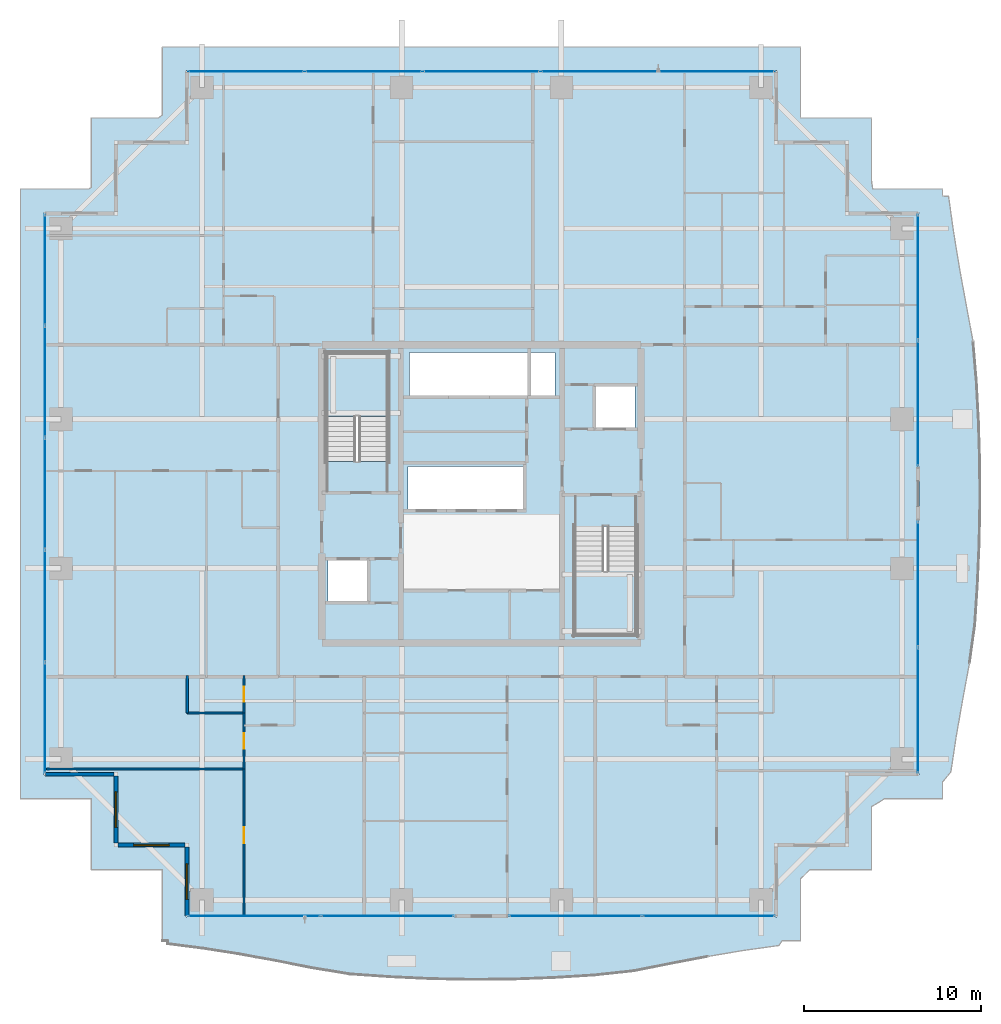
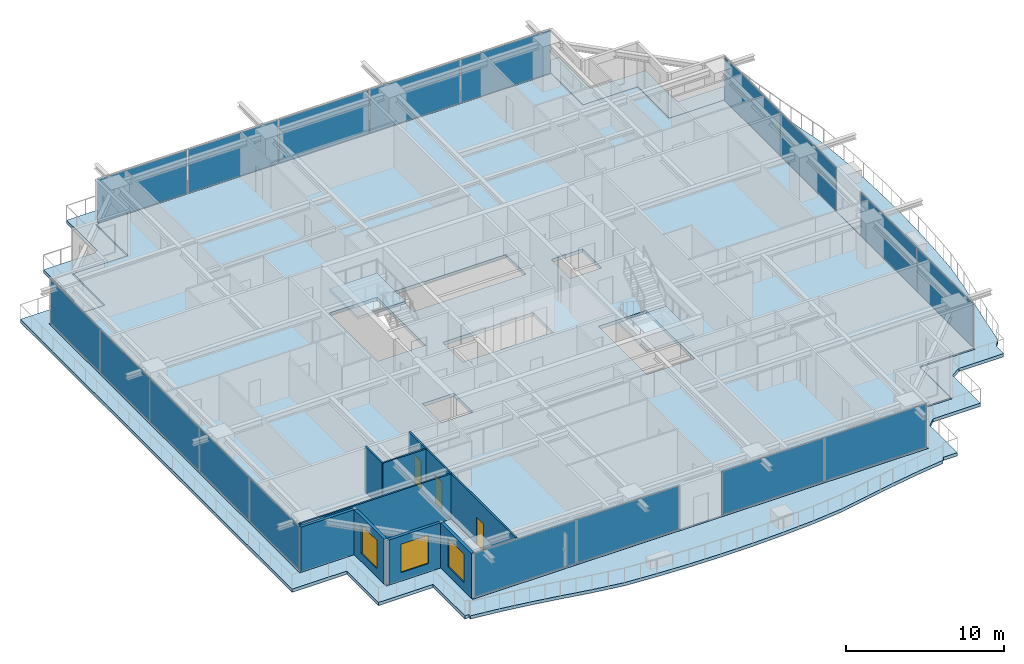
# One storey, part 24 of 35: 18 plates, 10 walls, 4 slabs, 3 doors, 3 windows, 6 openings, 8 elements without a shape of their own.
"""IFC4 building model written with IfcOpenShell, lengths in metres."""

from ifc_helpers import new_model, si_unit, direction, frame, frame_2d, origin, origin_2d, place, context, subcontext, project, spatial, polyline, rectangle, outline, extrude, source, transform, mapped, material, layer, layer_set, type_object, element, fill, aggregate, save


model = new_model("IFC4")

# Units and contexts
model_context = context("Model", 3, precision=1e-05, world=origin(), true_north=direction((0.0, 1.0)))
body_context = subcontext(model_context, "Body", "Model", "MODEL_VIEW")
ifc_project = project(units=[si_unit("LENGTHUNIT", "METRE"), si_unit("AREAUNIT", "SQUARE_METRE"), si_unit("VOLUMEUNIT", "CUBIC_METRE"), si_unit("PLANEANGLEUNIT", "RADIAN"), si_unit("MASSUNIT", "GRAM", prefix="KILO")], contexts=[model_context])

# Site, building, storey
site_placement = place(None, origin())
site = spatial("IfcSite", under=ifc_project, at=site_placement, CompositionType="ELEMENT")
building_placement = place(site_placement, origin())
building = spatial("IfcBuilding", under=site, at=building_placement, Name="Serunith Strait Residences", CompositionType="ELEMENT")
storey_placement = place(building_placement, frame((0.0, 0.0, 191.39990234375)))
storey = spatial("IfcBuildingStorey", under=building, at=storey_placement, Name="L48", CompositionType="ELEMENT", Elevation=191.39990234375)

# Slab
ifc_material_1 = material(Name="Concrete C50/60", Category="concrete")
ifc_layer_1 = layer(ifc_material_1, 0.239990234375, Name="Concrete C50/60")
ifc_layer_set_1 = layer_set([ifc_layer_1], Name="Concrete C50/60")
slab_type_1 = type_object("IfcSlabType", Name="SLB-BALC-240", PredefinedType="FLOOR", material=ifc_layer_set_1)
slab_1_placement = place(storey_placement, frame((0.0, 0.0, -0.289794921875)))
element("IfcSlab", 1, at=slab_1_placement, inside=storey, type_object=slab_type_1, Name="L48 Planted Vertical-Forest Balcony Slab", PredefinedType="FLOOR", context=body_context, shape_type="SweptSolid", body=[
    extrude(outline(polyline([(14.419921875, 0.02001953125), (14.419921875, 4.02001953125), (10.419921875, 4.02001953125), (10.419921875, 8.02001953125), (6.419921875, 8.02001953125), (6.419921875, 42.3798828125), (10.284912109375, 42.3798828125), (10.419921875, 42.47802734375), (10.419921875, 46.3798828125), (14.1982421875, 46.3798828125), (14.419921875, 46.55908203125), (14.419921875, 50.3798828125), (50.3798828125, 50.3798828125), (50.3798828125, 46.3798828125), (54.3798828125, 46.3798828125), (54.3798828125, 42.830322265625), (54.44677734375, 42.3798828125), (58.3798828125, 42.3798828125), (58.3798828125, 41.98291015625), (58.7216796875, 41.963134765625), (59.000732421875, 39.960205078125), (59.3330078125, 37.936767578125), (59.708984375, 35.875732421875), (60.1044921875, 33.759033203125), (60.293701171875, 31.531005859375), (60.413818359375, 29.26171875), (60.4833984375, 26.969482421875), (60.49560546875, 24.6669921875), (60.449462890625, 22.368408203125), (60.34912109375, 20.08740234375), (60.203857421875, 17.834716796875), (59.8994140625, 15.660888671875), (59.509521484375, 13.57373046875), (59.1533203125, 11.533203125), (58.847412109375, 9.521484375), (58.3798828125, 8.9716796875), (58.3798828125, 8.02001953125), (55.121826171875, 8.02001953125), (54.3798828125, 7.5751953125), (54.3798828125, 4.02001953125), (50.9091796875, 4.02001953125), (50.3798828125, 3.510986328125), (50.3798828125, 0.02001953125), (49.350830078125, 0.02001953125), (49.1552734375, -0.253662109375), (47.158203125, -0.5322265625), (45.1435546875, -0.87109375), (43.092529296875, -1.2626953125), (40.98486328125, -1.68408203125), (38.762939453125, -1.923583984375), (36.48583984375, -2.065185546875), (34.181396484375, -2.151123046875), (31.86328125, -2.1728515625), (29.548583984375, -2.1279296875), (27.253173828125, -2.02099609375), (24.989990234375, -1.863037109375), (22.823486328125, -1.50927734375), (20.7431640625, -1.096923828125), (18.710693359375, -0.726318359375), (16.705810546875, -0.41259765625), (14.712646484375, -0.158935546875), (14.714111328125, 0.02001953125), (14.419921875, 0.02001953125)]), holes=[polyline([(49.054931640625, 1.344970703125), (49.054931640625, 5.344970703125), (53.054931640625, 5.344970703125), (53.054931640625, 9.344970703125), (57.054931640625, 9.344970703125), (57.054931640625, 41.054931640625), (53.054931640625, 41.054931640625), (53.054931640625, 45.054931640625), (49.054931640625, 45.054931640625), (49.054931640625, 49.054931640625), (15.7451171875, 49.054931640625), (15.7451171875, 45.054931640625), (11.7451171875, 45.054931640625), (11.7451171875, 41.054931640625), (7.7451171875, 41.054931640625), (7.7451171875, 9.344970703125), (11.7451171875, 9.344970703125), (11.7451171875, 5.344970703125), (15.7451171875, 5.344970703125), (15.7451171875, 1.344970703125), (49.054931640625, 1.344970703125)])]), origin(), (0.0, 0.0, 1.0), 0.239990234375),
])

# Stair, slab
stair_type_1 = type_object("IfcStairType", Name="STR-CORE-1", PredefinedType="HALF_TURN_STAIR", material=ifc_material_1)
stair_1_placement = place(storey_placement, origin())
stair_1 = element("IfcStair", 2, at=stair_1_placement, inside=storey, type_object=stair_type_1, Name="L48 Protected Escape Stair ST-1", PredefinedType="HALF_TURN_STAIR")
ifc_layer_2 = layer(ifc_material_1, 0.199951171875, Name="Concrete C50/60")
ifc_layer_set_2 = layer_set([ifc_layer_2], Name="Concrete C50/60")
slab_type_2 = type_object("IfcSlabType", Name="SLB-LAND-200", PredefinedType="LANDING", material=ifc_layer_set_2)
slab_2_placement = place(storey_placement, frame((0.0, 0.0, 1.675048828125)))
slab_2 = element("IfcSlab", 3, at=slab_2_placement, type_object=slab_type_2, Name="ST-1 landing 1", PredefinedType="LANDING", context=body_context, shape_type="SweptSolid", body=[
    extrude(outline(polyline([(27.14990234375, 29.550048828125), (27.14990234375, 33.14990234375), (23.64990234375, 33.14990234375), (23.64990234375, 29.550048828125), (27.14990234375, 29.550048828125)])), origin(), (0.0, 0.0, 1.0), 0.199951171875),
])
aggregate(stair_1, [slab_2])

stair_type_2 = type_object("IfcStairType", Name="STR-CORE-2", PredefinedType="HALF_TURN_STAIR", material=ifc_material_1)
stair_2_placement = place(storey_placement, origin())
stair_2 = element("IfcStair", 4, at=stair_2_placement, inside=storey, type_object=stair_type_2, Name="L48 Protected Escape Stair ST-2", PredefinedType="HALF_TURN_STAIR")
slab_3_placement = place(storey_placement, frame((0.0, 0.0, 1.675048828125)))
slab_3 = element("IfcSlab", 5, at=slab_3_placement, type_object=slab_type_2, Name="ST-2 landing 1", PredefinedType="LANDING", context=body_context, shape_type="SweptSolid", body=[
    extrude(outline(polyline([(37.64990234375, 20.85009765625), (37.64990234375, 17.25), (41.14990234375, 17.25), (41.14990234375, 20.85009765625), (37.64990234375, 20.85009765625)])), origin(), (0.0, 0.0, 1.0), 0.199951171875),
])
aggregate(stair_2, [slab_3])

# Slab
ifc_material_2 = material(Name="Concrete C60/75", Category="concrete")
ifc_layer_3 = layer(ifc_material_2, 0.260009765625, Name="Concrete C60/75")
ifc_layer_set_3 = layer_set([ifc_layer_3], Name="Concrete C60/75")
slab_type_3 = type_object("IfcSlabType", Name="SLB-TWR-260-Z2", PredefinedType="FLOOR", material=ifc_layer_set_3)
slab_4_placement = place(storey_placement, frame((0.0, 0.0, -0.260009765625)))
element("IfcSlab", 6, at=slab_4_placement, inside=storey, type_object=slab_type_3, Name="L48 Structural Floor Plate", PredefinedType="FLOOR", context=body_context, shape_type="SweptSolid", body=[
    extrude(outline(polyline([(15.800048828125, 5.39990234375), (11.800048828125, 5.39990234375), (11.800048828125, 9.39990234375), (7.800048828125, 9.39990234375), (7.800048828125, 41.0), (11.800048828125, 41.0), (11.800048828125, 45.0), (15.800048828125, 45.0), (15.800048828125, 49.0), (49.0, 49.0), (49.0, 45.0), (53.0, 45.0), (53.0, 41.0), (57.0, 41.0), (57.0, 9.39990234375), (53.0, 9.39990234375), (53.0, 5.39990234375), (49.0, 5.39990234375), (49.0, 1.39990234375), (15.800048828125, 1.39990234375), (15.800048828125, 5.39990234375)]), holes=[polyline([(41.14990234375, 23.3701171875), (37.64990234375, 23.3701171875), (37.64990234375, 17.25), (41.14990234375, 17.25), (41.14990234375, 23.3701171875)]), polyline([(38.75, 31.25), (38.75, 28.85009765625), (41.050048828125, 28.85009765625), (41.050048828125, 31.25), (38.75, 31.25)]), polyline([(36.550048828125, 33.14990234375), (28.35009765625, 33.14990234375), (28.35009765625, 30.64990234375), (36.550048828125, 30.64990234375), (36.550048828125, 33.14990234375)]), polyline([(34.85009765625, 26.75), (28.25, 26.75), (28.25, 24.25), (34.85009765625, 24.25), (34.85009765625, 26.75)]), polyline([(23.64990234375, 33.14990234375), (23.64990234375, 27.030029296875), (27.14990234375, 27.030029296875), (27.14990234375, 33.14990234375), (23.64990234375, 33.14990234375)]), polyline([(26.050048828125, 21.550048828125), (23.75, 21.550048828125), (23.75, 19.14990234375), (26.050048828125, 19.14990234375), (26.050048828125, 21.550048828125)])]), origin(), (0.0, 0.0, 1.0), 0.260009765625),
])

# Curtain wall, plates
ifc_material_3 = material(Name="Pale-Silver PVDF Aluminium", Category="aluminium")
ifc_layer_4 = layer(ifc_material_3, 0.199951171875, Name="Pale-Silver PVDF Aluminium")
ifc_layer_set_4 = layer_set([ifc_layer_4], Name="Pale-Silver PVDF Aluminium")
curtain_wall_type = type_object("IfcCurtainWallType", Name="CW-SYS3", PredefinedType="NOTDEFINED", material=ifc_layer_set_4)
curtain_wall_1_placement = place(storey_placement, origin())
curtain_wall_1 = element("IfcCurtainWall", 7, at=curtain_wall_1_placement, inside=storey, type_object=curtain_wall_type, Name="L48 S Unitised Fritted Curtain Wall", PredefinedType="NOTDEFINED")
ifc_material_4 = material(Name="High-Selectivity Acoustic Laminated Glazing 32mm", Category="glass")
ifc_layer_5 = layer(ifc_material_4, 0.031982421875, Name="High-Selectivity Acoustic Laminated Glazing 32mm")
ifc_layer_set_5 = layer_set([ifc_layer_5], Name="High-Selectivity Acoustic Laminated Glazing 32mm")
plate_type = type_object("IfcPlateType", Name="CW-SYS3-PNL", PredefinedType="CURTAIN_PANEL", material=ifc_layer_set_5)
shared_shape_1 = source(origin(), body_context, "Body", "SweptSolid", [
    extrude(rectangle(XDim=7.4375, YDim=0.031982421875, at=origin_2d()), origin(), (0.0, 0.0, 1.0), 3.35498046875),
])
plate_1_placement = place(storey_placement, frame((19.59375, 1.39990234375, 0.06005859375), z_axis=(0.0, 0.0, 1.0), x_axis=(1.0, 0.0, 0.0)))
plate_1 = element("IfcPlate", 8, at=plate_1_placement, type_object=plate_type, Name="CW-3 panel 1.1", PredefinedType="CURTAIN_PANEL", context=body_context, shape_type="MappedRepresentation", body=[
    mapped(shared_shape_1, transform((0.0, 0.0, 0.0), scale=1.0)),
])
plate_2_placement = place(storey_placement, frame((27.106201171875, 1.39990234375, 0.06005859375), z_axis=(0.0, 0.0, 1.0), x_axis=(1.0, 0.0, 0.0)))
plate_2 = element("IfcPlate", 9, at=plate_2_placement, type_object=plate_type, Name="CW-3 panel 2.1", PredefinedType="CURTAIN_PANEL", context=body_context, shape_type="MappedRepresentation", body=[
    mapped(shared_shape_1, transform((0.0, 0.0, 0.0), scale=1.0)),
])
aggregate(curtain_wall_1, [plate_1, plate_2])

curtain_wall_2_placement = place(storey_placement, origin())
curtain_wall_2 = element("IfcCurtainWall", 10, at=curtain_wall_2_placement, inside=storey, type_object=curtain_wall_type, Name="L48 S Unitised Fritted Curtain Wall", PredefinedType="NOTDEFINED")
plate_3_placement = place(storey_placement, frame((37.69384765625, 1.39990234375, 0.06005859375), z_axis=(0.0, 0.0, 1.0), x_axis=(1.0, 0.0, 0.0)))
plate_3 = element("IfcPlate", 11, at=plate_3_placement, type_object=plate_type, Name="CW-3 panel 1.1", PredefinedType="CURTAIN_PANEL", context=body_context, shape_type="MappedRepresentation", body=[
    mapped(shared_shape_1, transform((0.0, 0.0, 0.0), scale=1.0)),
])
plate_4_placement = place(storey_placement, frame((45.206298828125, 1.39990234375, 0.06005859375), z_axis=(0.0, 0.0, 1.0), x_axis=(1.0, 0.0, 0.0)))
plate_4 = element("IfcPlate", 12, at=plate_4_placement, type_object=plate_type, Name="CW-3 panel 2.1", PredefinedType="CURTAIN_PANEL", context=body_context, shape_type="MappedRepresentation", body=[
    mapped(shared_shape_1, transform((0.0, 0.0, 0.0), scale=1.0)),
])
aggregate(curtain_wall_2, [plate_3, plate_4])

curtain_wall_3_placement = place(storey_placement, origin())
curtain_wall_3 = element("IfcCurtainWall", 13, at=curtain_wall_3_placement, inside=storey, type_object=curtain_wall_type, Name="L48 E Unitised Fritted Curtain Wall", PredefinedType="NOTDEFINED")
shared_shape_2 = source(origin(), body_context, "Body", "SweptSolid", [
    extrude(rectangle(XDim=7.03759765625, YDim=0.031982421875, at=origin_2d()), origin(), (0.0, 0.0, 1.0), 3.35498046875),
])
plate_5_placement = place(storey_placement, frame((57.0, 12.99365234375, 0.06005859375), z_axis=(0.0, 0.0, 1.0), x_axis=(0.0, 1.0, 0.0)))
plate_5 = element("IfcPlate", 14, at=plate_5_placement, type_object=plate_type, Name="CW-3 panel 1.1", PredefinedType="CURTAIN_PANEL", context=body_context, shape_type="MappedRepresentation", body=[
    mapped(shared_shape_2, transform((0.0, 0.0, 0.0), scale=1.0)),
])
plate_6_placement = place(storey_placement, frame((57.0, 20.106201171875, 0.06005859375), z_axis=(0.0, 0.0, 1.0), x_axis=(0.0, 1.0, 0.0)))
plate_6 = element("IfcPlate", 15, at=plate_6_placement, type_object=plate_type, Name="CW-3 panel 2.1", PredefinedType="CURTAIN_PANEL", context=body_context, shape_type="MappedRepresentation", body=[
    mapped(shared_shape_2, transform((0.0, 0.0, 0.0), scale=1.0)),
])
aggregate(curtain_wall_3, [plate_5, plate_6])

curtain_wall_4_placement = place(storey_placement, origin())
curtain_wall_4 = element("IfcCurtainWall", 16, at=curtain_wall_4_placement, inside=storey, type_object=curtain_wall_type, Name="L48 E Unitised Fritted Curtain Wall", PredefinedType="NOTDEFINED")
plate_7_placement = place(storey_placement, frame((57.0, 30.293701171875, 0.06005859375), z_axis=(0.0, 0.0, 1.0), x_axis=(0.0, 1.0, 0.0)))
plate_7 = element("IfcPlate", 17, at=plate_7_placement, type_object=plate_type, Name="CW-3 panel 1.1", PredefinedType="CURTAIN_PANEL", context=body_context, shape_type="MappedRepresentation", body=[
    mapped(shared_shape_2, transform((0.0, 0.0, 0.0), scale=1.0)),
])
plate_8_placement = place(storey_placement, frame((57.0, 37.40625, 0.06005859375), z_axis=(0.0, 0.0, 1.0), x_axis=(0.0, 1.0, 0.0)))
plate_8 = element("IfcPlate", 18, at=plate_8_placement, type_object=plate_type, Name="CW-3 panel 2.1", PredefinedType="CURTAIN_PANEL", context=body_context, shape_type="MappedRepresentation", body=[
    mapped(shared_shape_2, transform((0.0, 0.0, 0.0), scale=1.0)),
])
aggregate(curtain_wall_4, [plate_7, plate_8])

curtain_wall_5_placement = place(storey_placement, origin())
curtain_wall_5 = element("IfcCurtainWall", 19, at=curtain_wall_5_placement, inside=storey, type_object=curtain_wall_type, Name="L48 N Unitised Fritted Curtain Wall", PredefinedType="NOTDEFINED")
shared_shape_3 = source(origin(), body_context, "Body", "SweptSolid", [
    extrude(rectangle(XDim=6.527587890625, YDim=0.031982421875, at=origin_2d()), origin(), (0.0, 0.0, 1.0), 3.35498046875),
])
plate_9_placement = place(storey_placement, frame((45.6611328125, 49.0, 0.06005859375), z_axis=(0.0, 0.0, 1.0), x_axis=(-1.0, 0.0, 0.0)))
plate_9 = element("IfcPlate", 20, at=plate_9_placement, type_object=plate_type, Name="CW-3 panel 1.1", PredefinedType="CURTAIN_PANEL", context=body_context, shape_type="MappedRepresentation", body=[
    mapped(shared_shape_3, transform((0.0, 0.0, 0.0), scale=1.0)),
])
plate_10_placement = place(storey_placement, frame((19.138671875, 49.0, 0.06005859375), z_axis=(0.0, 0.0, 1.0), x_axis=(-1.0, 0.0, 0.0)))
plate_10 = element("IfcPlate", 21, at=plate_10_placement, type_object=plate_type, Name="CW-3 panel 5.1", PredefinedType="CURTAIN_PANEL", context=body_context, shape_type="MappedRepresentation", body=[
    mapped(shared_shape_3, transform((0.0, 0.0, 0.0), scale=1.0)),
])
shared_shape_4 = source(origin(), body_context, "Body", "SweptSolid", [
    extrude(rectangle(XDim=6.56494140625, YDim=0.031982421875, at=origin_2d()), origin(), (0.0, 0.0, 1.0), 3.35498046875),
])
plate_11_placement = place(storey_placement, frame((39.0400390625, 49.0, 0.06005859375), z_axis=(0.0, 0.0, 1.0), x_axis=(-1.0, 0.0, 0.0)))
plate_11 = element("IfcPlate", 22, at=plate_11_placement, type_object=plate_type, Name="CW-3 panel 2.1", PredefinedType="CURTAIN_PANEL", context=body_context, shape_type="MappedRepresentation", body=[
    mapped(shared_shape_4, transform((0.0, 0.0, 0.0), scale=1.0)),
])
plate_12_placement = place(storey_placement, frame((32.39990234375, 49.0, 0.06005859375), z_axis=(0.0, 0.0, 1.0), x_axis=(-1.0, 0.0, 0.0)))
plate_12 = element("IfcPlate", 23, at=plate_12_placement, type_object=plate_type, Name="CW-3 panel 3.1", PredefinedType="CURTAIN_PANEL", context=body_context, shape_type="MappedRepresentation", body=[
    mapped(shared_shape_4, transform((0.0, 0.0, 0.0), scale=1.0)),
])
plate_13_placement = place(storey_placement, frame((25.760009765625, 49.0, 0.06005859375), z_axis=(0.0, 0.0, 1.0), x_axis=(-1.0, 0.0, 0.0)))
plate_13 = element("IfcPlate", 24, at=plate_13_placement, type_object=plate_type, Name="CW-3 panel 4.1", PredefinedType="CURTAIN_PANEL", context=body_context, shape_type="MappedRepresentation", body=[
    mapped(shared_shape_4, transform((0.0, 0.0, 0.0), scale=1.0)),
])
aggregate(curtain_wall_5, [plate_9, plate_11, plate_12, plate_13, plate_10])

curtain_wall_6_placement = place(storey_placement, origin())
curtain_wall_6 = element("IfcCurtainWall", 25, at=curtain_wall_6_placement, inside=storey, type_object=curtain_wall_type, Name="L48 W Unitised Fritted Curtain Wall", PredefinedType="NOTDEFINED")
shared_shape_5 = source(origin(), body_context, "Body", "SweptSolid", [
    extrude(rectangle(XDim=6.20751953125, YDim=0.031982421875, at=origin_2d()), origin(), (0.0, 0.0, 1.0), 3.35498046875),
])
plate_14_placement = place(storey_placement, frame((7.800048828125, 37.8212890625, 0.06005859375), z_axis=(0.0, 0.0, 1.0), x_axis=(0.0, -1.0, 0.0)))
plate_14 = element("IfcPlate", 26, at=plate_14_placement, type_object=plate_type, Name="CW-3 panel 1.1", PredefinedType="CURTAIN_PANEL", context=body_context, shape_type="MappedRepresentation", body=[
    mapped(shared_shape_5, transform((0.0, 0.0, 0.0), scale=1.0)),
])
plate_15_placement = place(storey_placement, frame((7.800048828125, 12.578857421875, 0.06005859375), z_axis=(0.0, 0.0, 1.0), x_axis=(0.0, -1.0, 0.0)))
plate_15 = element("IfcPlate", 27, at=plate_15_placement, type_object=plate_type, Name="CW-3 panel 5.1", PredefinedType="CURTAIN_PANEL", context=body_context, shape_type="MappedRepresentation", body=[
    mapped(shared_shape_5, transform((0.0, 0.0, 0.0), scale=1.0)),
])
shared_shape_6 = source(origin(), body_context, "Body", "SweptSolid", [
    extrude(rectangle(XDim=6.2451171875, YDim=0.031982421875, at=origin_2d()), origin(), (0.0, 0.0, 1.0), 3.35498046875),
])
plate_16_placement = place(storey_placement, frame((7.800048828125, 31.52001953125, 0.06005859375), z_axis=(0.0, 0.0, 1.0), x_axis=(0.0, -1.0, 0.0)))
plate_16 = element("IfcPlate", 28, at=plate_16_placement, type_object=plate_type, Name="CW-3 panel 2.1", PredefinedType="CURTAIN_PANEL", context=body_context, shape_type="MappedRepresentation", body=[
    mapped(shared_shape_6, transform((0.0, 0.0, 0.0), scale=1.0)),
])
plate_17_placement = place(storey_placement, frame((7.800048828125, 25.199951171875, 0.06005859375), z_axis=(0.0, 0.0, 1.0), x_axis=(0.0, -1.0, 0.0)))
plate_17 = element("IfcPlate", 29, at=plate_17_placement, type_object=plate_type, Name="CW-3 panel 3.1", PredefinedType="CURTAIN_PANEL", context=body_context, shape_type="MappedRepresentation", body=[
    mapped(shared_shape_6, transform((0.0, 0.0, 0.0), scale=1.0)),
])
plate_18_placement = place(storey_placement, frame((7.800048828125, 18.8798828125, 0.06005859375), z_axis=(0.0, 0.0, 1.0), x_axis=(0.0, -1.0, 0.0)))
plate_18 = element("IfcPlate", 30, at=plate_18_placement, type_object=plate_type, Name="CW-3 panel 4.1", PredefinedType="CURTAIN_PANEL", context=body_context, shape_type="MappedRepresentation", body=[
    mapped(shared_shape_6, transform((0.0, 0.0, 0.0), scale=1.0)),
])
aggregate(curtain_wall_6, [plate_14, plate_16, plate_17, plate_18, plate_15])

# Wall
ifc_material_5 = material(Name="Pale-Champagne Aluminium Insulated Panel", Category="aluminium")
ifc_layer_6 = layer(ifc_material_5, 0.219970703125, Name="Pale-Champagne Aluminium Insulated Panel")
ifc_layer_set_6 = layer_set([ifc_layer_6], Name="Pale-Champagne Aluminium Insulated Panel")
wall_type_1 = type_object("IfcWallType", Name="EW-ALUM-220", PredefinedType="ELEMENTEDWALL", material=ifc_layer_set_6)
wall_1_placement = place(storey_placement, frame((7.800048828125, 9.39990234375, 0.0), z_axis=(0.0, 0.0, 1.0), x_axis=(1.0, 0.0, 0.0)))
element("IfcWall", 31, at=wall_1_placement, inside=storey, type_object=wall_type_1, Name="L48 Girih Serrated Corner Wall 17", PredefinedType="ELEMENTEDWALL", context=body_context, shape_type="SweptSolid", body=[
    extrude(rectangle(XDim=3.889892578125, YDim=0.219970703125, at=frame_2d((1.94482421875, 0.0))), origin(), (0.0, 0.0, 1.0), 3.47509765625),
])

# Wall, opening, window
wall_2_placement = place(storey_placement, frame((11.800048828125, 9.2900390625, 0.0), z_axis=(0.0, 0.0, 1.0), x_axis=(0.0, -1.0, 0.0)))
wall_2 = element("IfcWall", 32, at=wall_2_placement, inside=storey, type_object=wall_type_1, Name="L48 Girih Serrated Corner Wall 18", PredefinedType="ELEMENTEDWALL", context=body_context, shape_type="SweptSolid", body=[
    extrude(rectangle(XDim=3.780029296875, YDim=0.219970703125, at=frame_2d((1.89013671875, 0.0))), origin(), (0.0, 0.0, 1.0), 3.47509765625),
])
opening_1_placement = place(wall_2_placement, frame((0.889892578125, 0.0, 0.64990234375)))
opening_1 = element("IfcOpeningElement", 33, at=opening_1_placement, cuts=wall_2, Name="Opening W-04", PredefinedType="OPENING", context=body_context, shape_type="SweptSolid", body=[
    extrude(rectangle(XDim=2.0, YDim=2.199951171875, at=frame_2d((1.0, 1.10009765625))), frame((0.0, 0.1201171875, 0.0), z_axis=(0.0, -1.0, 0.0), x_axis=(1.0, 0.0, 0.0)), (0.0, 0.0, 1.0), 0.239990234375),
])
ifc_material_6 = material(Name="Ceramic-Fritted Operable Aluminium Window Glass", Category="aluminium")
window_type = type_object("IfcWindowType", Name="WIN-C4", PartitioningType="TRIPLE_PANEL_VERTICAL", PredefinedType="WINDOW", material=ifc_material_6)
shared_shape_7 = source(origin(), body_context, "Body", "SweptSolid", [
    extrude(rectangle(XDim=2.0, YDim=2.199951171875, at=frame_2d((1.0, 1.10009765625))), frame((0.0, 0.030029296875, 0.0), z_axis=(0.0, -1.0, 0.0), x_axis=(1.0, 0.0, 0.0)), (0.0, 0.0, 1.0), 0.06005859375),
])
window_1_placement = place(opening_1_placement, origin())
window_1 = element("IfcWindow", 34, at=window_1_placement, inside=storey, type_object=window_type, Name="L48 Corner Operable Fritted Window 18", OverallHeight=2.199951171875, OverallWidth=2.0, PartitioningType="SINGLE_PANEL", PredefinedType="WINDOW", context=body_context, shape_type="MappedRepresentation", body=[
    mapped(shared_shape_7, transform((0.0, 0.0, 0.0), scale=1.0)),
])
fill(opening_1, window_1)

wall_3_placement = place(storey_placement, frame((11.909912109375, 5.39990234375, 0.0), z_axis=(0.0, 0.0, 1.0), x_axis=(1.0, 0.0, 0.0)))
wall_3 = element("IfcWall", 35, at=wall_3_placement, inside=storey, type_object=wall_type_1, Name="L48 Girih Serrated Corner Wall 19", PredefinedType="ELEMENTEDWALL", context=body_context, shape_type="SweptSolid", body=[
    extrude(rectangle(XDim=3.780029296875, YDim=0.219970703125, at=frame_2d((1.89013671875, 0.0))), origin(), (0.0, 0.0, 1.0), 3.47509765625),
])
opening_2_placement = place(wall_3_placement, frame((0.889892578125, 0.0, 0.64990234375)))
opening_2 = element("IfcOpeningElement", 36, at=opening_2_placement, cuts=wall_3, Name="Opening W-04", PredefinedType="OPENING", context=body_context, shape_type="SweptSolid", body=[
    extrude(rectangle(XDim=2.0, YDim=2.199951171875, at=frame_2d((1.0, 1.10009765625))), frame((0.0, 0.1201171875, 0.0), z_axis=(0.0, -1.0, 0.0), x_axis=(1.0, 0.0, 0.0)), (0.0, 0.0, 1.0), 0.239990234375),
])
window_2_placement = place(opening_2_placement, origin())
window_2 = element("IfcWindow", 37, at=window_2_placement, inside=storey, type_object=window_type, Name="L48 Corner Operable Fritted Window 19", OverallHeight=2.199951171875, OverallWidth=2.0, PartitioningType="SINGLE_PANEL", PredefinedType="WINDOW", context=body_context, shape_type="MappedRepresentation", body=[
    mapped(shared_shape_7, transform((0.0, 0.0, 0.0), scale=1.0)),
])
fill(opening_2, window_2)

wall_4_placement = place(storey_placement, frame((15.800048828125, 5.2900390625, 0.0), z_axis=(0.0, 0.0, 1.0), x_axis=(0.0, -1.0, 0.0)))
wall_4 = element("IfcWall", 38, at=wall_4_placement, inside=storey, type_object=wall_type_1, Name="L48 Girih Serrated Corner Wall 20", PredefinedType="ELEMENTEDWALL", context=body_context, shape_type="SweptSolid", body=[
    extrude(rectangle(XDim=3.89013671875, YDim=0.219970703125, at=frame_2d((1.945068359375, 0.0))), origin(), (0.0, 0.0, 1.0), 3.47509765625),
])
opening_3_placement = place(wall_4_placement, frame((0.945068359375, 0.0, 0.64990234375)))
opening_3 = element("IfcOpeningElement", 39, at=opening_3_placement, cuts=wall_4, Name="Opening W-04", PredefinedType="OPENING", context=body_context, shape_type="SweptSolid", body=[
    extrude(rectangle(XDim=2.0, YDim=2.199951171875, at=frame_2d((1.0, 1.10009765625))), frame((0.0, 0.1201171875, 0.0), z_axis=(0.0, -1.0, 0.0), x_axis=(1.0, 0.0, 0.0)), (0.0, 0.0, 1.0), 0.239990234375),
])
window_3_placement = place(opening_3_placement, origin())
window_3 = element("IfcWindow", 40, at=window_3_placement, inside=storey, type_object=window_type, Name="L48 Corner Operable Fritted Window 20", OverallHeight=2.199951171875, OverallWidth=2.0, PartitioningType="SINGLE_PANEL", PredefinedType="WINDOW", context=body_context, shape_type="MappedRepresentation", body=[
    mapped(shared_shape_7, transform((0.0, 0.0, 0.0), scale=1.0)),
])
fill(opening_3, window_3)

# Wall, opening, door
ifc_material_7 = material(Name="Lightweight steel-stud gypsum partition", Category="steel")
ifc_layer_7 = layer(ifc_material_7, 0.1201171875, Name="Lightweight steel-stud gypsum partition")
ifc_layer_set_7 = layer_set([ifc_layer_7], Name="Lightweight steel-stud gypsum partition")
wall_type_2 = type_object("IfcWallType", Name="IW-PART-120", PredefinedType="PARTITIONING", material=ifc_layer_set_7)
wall_5_placement = place(storey_placement, frame((19.02001953125, 1.4951171875, 0.0), z_axis=(0.0, 0.0, 1.0), x_axis=(0.0, 1.0, 0.0)))
wall_5 = element("IfcWall", 41, at=wall_5_placement, inside=storey, type_object=wall_type_2, Name="L48 Partition Wall 034", PredefinedType="PARTITIONING", context=body_context, shape_type="SweptSolid", body=[
    extrude(rectangle(XDim=8.19482421875, YDim=0.1201171875, at=frame_2d((4.097412109375, 0.0))), origin(), (0.0, 0.0, 1.0), 3.489990234375),
])
opening_4_placement = place(wall_5_placement, frame((4.011962890625, 0.0, 0.0)))
opening_4 = element("IfcOpeningElement", 42, at=opening_4_placement, cuts=wall_5, Name="Opening D-RM900", PredefinedType="OPENING", context=body_context, shape_type="SweptSolid", body=[
    extrude(rectangle(XDim=0.89990234375, YDim=2.10009765625, at=frame_2d((0.449951171875, 1.050048828125))), frame((0.0, 0.070068359375, 0.0), z_axis=(0.0, -1.0, 0.0), x_axis=(1.0, 0.0, 0.0)), (0.0, 0.0, 1.0), 0.14013671875),
])
ifc_material_8 = material(Name="Engineered timber flush bedroom door", Category="wood")
door_type_1 = type_object("IfcDoorType", Name="ID-ROOM-900", OperationType="NOTDEFINED", PredefinedType="DOOR", material=ifc_material_8)
shared_shape_8 = source(origin(), body_context, "Body", "SweptSolid", [
    extrude(rectangle(XDim=0.89990234375, YDim=2.10009765625, at=frame_2d((0.449951171875, 1.050048828125))), frame((0.0, 0.02490234375, 0.0), z_axis=(0.0, -1.0, 0.0), x_axis=(1.0, 0.0, 0.0)), (0.0, 0.0, 1.0), 0.050048828125),
])
door_1_placement = place(opening_4_placement, origin())
door_1 = element("IfcDoor", 43, at=door_1_placement, inside=storey, type_object=door_type_1, Name="L48 Master Bedroom 1 4801 Door", OperationType="SINGLE_SWING_LEFT", OverallHeight=2.10009765625, OverallWidth=0.89990234375, PredefinedType="DOOR", context=body_context, shape_type="MappedRepresentation", body=[
    mapped(shared_shape_8, transform((0.0, 0.0, 0.0), scale=1.0)),
])
fill(opening_4, door_1)

# Walls
wall_6_placement = place(storey_placement, frame((7.89501953125, 9.68994140625, 0.0), z_axis=(0.0, 0.0, 1.0), x_axis=(1.0, 0.0, 0.0)))
element("IfcWall", 44, at=wall_6_placement, inside=storey, type_object=wall_type_2, Name="L48 Partition Wall 035", PredefinedType="PARTITIONING", context=body_context, shape_type="SweptSolid", body=[
    extrude(rectangle(XDim=11.125, YDim=0.1201171875, at=frame_2d((5.5625, 0.0))), origin(), (0.0, 0.0, 1.0), 3.489990234375),
])
wall_7_placement = place(storey_placement, frame((15.820068359375, 12.85009765625, 0.0), z_axis=(0.0, 0.0, 1.0), x_axis=(1.0, 0.0, 0.0)))
element("IfcWall", 45, at=wall_7_placement, inside=storey, type_object=wall_type_2, Name="L48 Partition Wall 036", PredefinedType="PARTITIONING", context=body_context, shape_type="SweptSolid", body=[
    extrude(rectangle(XDim=3.199951171875, YDim=0.1201171875, at=frame_2d((1.60009765625, 0.0))), origin(), (0.0, 0.0, 1.0), 3.489990234375),
])
wall_8_placement = place(storey_placement, frame((15.820068359375, 12.85009765625, 0.0), z_axis=(0.0, 0.0, 1.0), x_axis=(0.0, 1.0, 0.0)))
element("IfcWall", 46, at=wall_8_placement, inside=storey, type_object=wall_type_2, Name="L48 Partition Wall 037", PredefinedType="PARTITIONING", context=body_context, shape_type="SweptSolid", body=[
    extrude(rectangle(XDim=2.10986328125, YDim=0.1201171875, at=frame_2d((1.054931640625, 0.0))), origin(), (0.0, 0.0, 1.0), 3.489990234375),
])

# Wall, opening, door
wall_9_placement = place(storey_placement, frame((19.02001953125, 9.69189453125, 0.0), z_axis=(0.0, 0.0, 1.0), x_axis=(0.0, 1.0, 0.0)))
wall_9 = element("IfcWall", 47, at=wall_9_placement, inside=storey, type_object=wall_type_2, Name="L48 Partition Wall 038", PredefinedType="PARTITIONING", context=body_context, shape_type="SweptSolid", body=[
    extrude(rectangle(XDim=3.158203125, YDim=0.1201171875, at=frame_2d((1.5791015625, 0.0))), origin(), (0.0, 0.0, 1.0), 3.489990234375),
])
opening_5_placement = place(wall_9_placement, frame((1.154052734375, 0.0, 0.0)))
opening_5 = element("IfcOpeningElement", 48, at=opening_5_placement, cuts=wall_9, Name="Opening D-RM850", PredefinedType="OPENING", context=body_context, shape_type="SweptSolid", body=[
    extrude(rectangle(XDim=0.85009765625, YDim=2.10009765625, at=frame_2d((0.425048828125, 1.050048828125))), frame((0.0, 0.070068359375, 0.0), z_axis=(0.0, -1.0, 0.0), x_axis=(1.0, 0.0, 0.0)), (0.0, 0.0, 1.0), 0.14013671875),
])
ifc_material_9 = material(Name="Engineered timber flush study and kitchen door", Category="wood")
door_type_2 = type_object("IfcDoorType", Name="ID-ROOM-850", OperationType="NOTDEFINED", PredefinedType="DOOR", material=ifc_material_9)
shared_shape_9 = source(origin(), body_context, "Body", "SweptSolid", [
    extrude(rectangle(XDim=0.85009765625, YDim=2.10009765625, at=frame_2d((0.425048828125, 1.050048828125))), frame((0.0, 0.02490234375, 0.0), z_axis=(0.0, -1.0, 0.0), x_axis=(1.0, 0.0, 0.0)), (0.0, 0.0, 1.0), 0.050048828125),
])
door_2_placement = place(opening_5_placement, origin())
door_2 = element("IfcDoor", 49, at=door_2_placement, inside=storey, type_object=door_type_2, Name="L48 Walk-in Wardrobe 4801 Door", OperationType="SINGLE_SWING_RIGHT", OverallHeight=2.10009765625, OverallWidth=0.85009765625, PredefinedType="DOOR", context=body_context, shape_type="MappedRepresentation", body=[
    mapped(shared_shape_9, transform((0.0, 0.0, 0.0), scale=1.0)),
])
fill(opening_5, door_2)

wall_10_placement = place(storey_placement, frame((19.02001953125, 12.85205078125, 0.0), z_axis=(0.0, 0.0, 1.0), x_axis=(0.0, 1.0, 0.0)))
wall_10 = element("IfcWall", 50, at=wall_10_placement, inside=storey, type_object=wall_type_2, Name="L48 Partition Wall 039", PredefinedType="PARTITIONING", context=body_context, shape_type="SweptSolid", body=[
    extrude(rectangle(XDim=2.10791015625, YDim=0.1201171875, at=frame_2d((1.053955078125, 0.0))), origin(), (0.0, 0.0, 1.0), 3.489990234375),
])
opening_6_placement = place(wall_10_placement, frame((0.62890625, 0.0, 0.0)))
opening_6 = element("IfcOpeningElement", 51, at=opening_6_placement, cuts=wall_10, Name="Opening D-BTH850", PredefinedType="OPENING", context=body_context, shape_type="SweptSolid", body=[
    extrude(rectangle(XDim=0.85009765625, YDim=2.10009765625, at=frame_2d((0.425048828125, 1.050048828125))), frame((0.0, 0.070068359375, 0.0), z_axis=(0.0, -1.0, 0.0), x_axis=(1.0, 0.0, 0.0)), (0.0, 0.0, 1.0), 0.14013671875),
])
ifc_material_10 = material(Name="Moisture-resistant timber bathroom door", Category="wood")
door_type_3 = type_object("IfcDoorType", Name="ID-BATH-850", OperationType="NOTDEFINED", PredefinedType="DOOR", material=ifc_material_10)
door_3_placement = place(opening_6_placement, origin())
door_3 = element("IfcDoor", 52, at=door_3_placement, inside=storey, type_object=door_type_3, Name="L48 Bathroom 4801 Door", OperationType="SINGLE_SWING_LEFT", OverallHeight=2.10009765625, OverallWidth=0.85009765625, PredefinedType="DOOR", context=body_context, shape_type="MappedRepresentation", body=[
    mapped(shared_shape_9, transform((0.0, 0.0, 0.0), scale=1.0)),
])
fill(opening_6, door_3)

save(model, "model.ifc")
